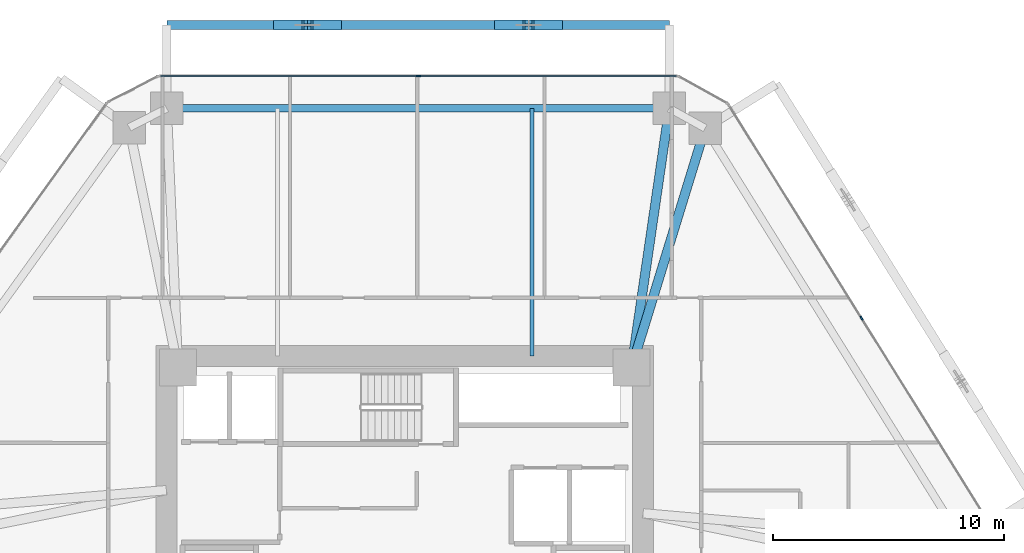
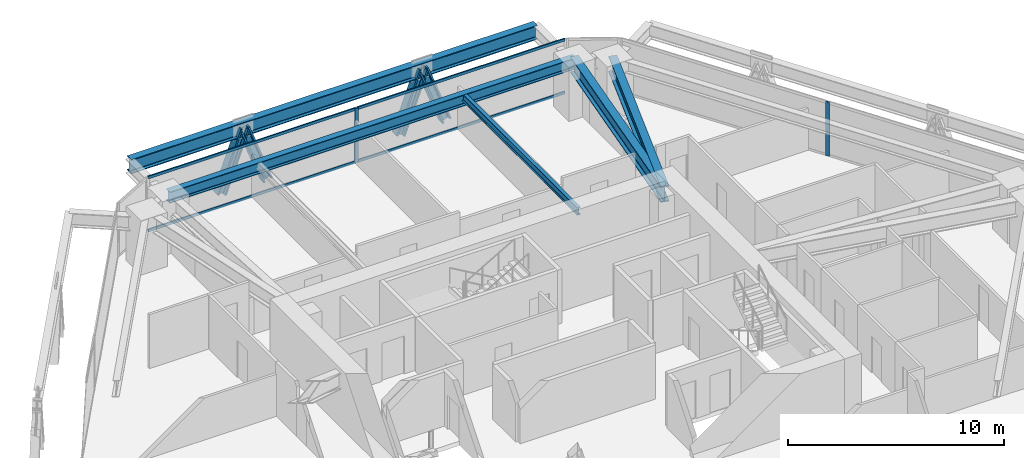
# One storey, part 8 of 17: 10 members, 5 beams, 2 elements without a shape of their own.
"""IFC4 building model written with IfcOpenShell, lengths in metres."""

from ifc_helpers import new_model, si_unit, direction, frame, origin, origin_2d, place, context, subcontext, project, spatial, rectangle, i_section, extrude, source, transform, mapped, material, layer, layer_set, material_profile, profile_set, type_object, type_shapes, element, aggregate, save


model = new_model("IFC4")

# Units and contexts
model_context = context("Model", 3, precision=1e-05, world=origin(), true_north=direction((0.0, 1.0)))
body_context = subcontext(model_context, "Body", "Model", "MODEL_VIEW")
ifc_project = project(units=[si_unit("LENGTHUNIT", "METRE"), si_unit("AREAUNIT", "SQUARE_METRE"), si_unit("VOLUMEUNIT", "CUBIC_METRE"), si_unit("PLANEANGLEUNIT", "RADIAN"), si_unit("MASSUNIT", "GRAM", prefix="KILO")], contexts=[model_context])

# Site, building, storey
site_placement = place(None, origin())
site = spatial("IfcSite", under=ifc_project, at=site_placement, CompositionType="ELEMENT")
building_placement = place(site_placement, origin())
building = spatial("IfcBuilding", under=site, at=building_placement, Name="Durnholm Broadcast Tower", CompositionType="ELEMENT")
storey_placement = place(building_placement, frame((0.0, 0.0, 72.0)))
storey = spatial("IfcBuildingStorey", under=building, at=storey_placement, Name="L18", CompositionType="ELEMENT", Elevation=72.0)

# Beams
ifc_material_1 = material(Name="Steel ASTM A992 Grade 50", Category="steel")
ifc_material_profile_1 = material_profile(ifc_material_1, i_section(OverallWidth=0.3291015625, OverallDepth=0.635009765625, WebThickness=0.017822265625, FlangeThickness=0.031005859375, FilletRadius=0.02783203125, at=origin_2d()), Name="W24X162")
ifc_profile_set_1 = profile_set([ifc_material_profile_1], Name="Steel ASTM A992 Grade 50")
beam_type_1 = type_object("IfcBeamType", Name="STL-SP-W24X162", PredefinedType="SPANDREL", material=ifc_profile_set_1)
shared_shape_1 = source(origin(), body_context, "Body", "SweptSolid", [
    extrude(i_section(OverallWidth=0.3291015625, OverallDepth=0.635009765625, WebThickness=0.017822265625, FlangeThickness=0.031005859375, FilletRadius=0.02783203125, at=origin_2d()), origin(), (0.0, 0.0, 1.0), 21.7138671875),
])
type_shapes(beam_type_1, [shared_shape_1])
beam_1_placement = place(storey_placement, frame((-10.28271484375, 19.0, 2.7275390625), z_axis=(1.0, 0.0, 0.0), x_axis=(0.0, 1.0, 0.0)))
element("IfcBeam", 1, at=beam_1_placement, inside=storey, type_object=beam_type_1, Name="L18 perimeter spandrel girder 05", PredefinedType="SPANDREL", context=body_context, shape_type="MappedRepresentation", body=[
    mapped(shared_shape_1, transform((0.0, 0.0, 0.0), x_axis=(1.0, 0.0, 0.0), y_axis=(0.0, 1.0, 0.0), z_axis=(0.0, 0.0, 1.0), scale=1.0)),
])
ifc_material_profile_2 = material_profile(ifc_material_1, i_section(OverallWidth=0.404052734375, OverallDepth=0.885009765625, WebThickness=0.0244140625, FlangeThickness=0.0439453125, FilletRadius=0.03564453125, at=origin_2d()), Name="W33X291")
ifc_profile_set_2 = profile_set([ifc_material_profile_2], Name="Steel ASTM A992 Grade 50")
beam_type_2 = type_object("IfcBeamType", Name="STL-GR-W33X291", PredefinedType="USERDEFINED", material=ifc_profile_set_2)
shared_shape_2 = source(origin(), body_context, "Body", "SweptSolid", [
    extrude(i_section(OverallWidth=0.404052734375, OverallDepth=0.885009765625, WebThickness=0.0244140625, FlangeThickness=0.0439453125, FilletRadius=0.03564453125, at=origin_2d()), origin(), (0.0, 0.0, 1.0), 11.318115234375),
])
beam_2_placement = place(storey_placement, frame((9.800048828125, 7.800048828125, 2.6025390625), z_axis=(0.144114595679, 0.989561005352, 0.0), x_axis=(-0.989561005352, 0.144114595679, 0.0)))
element("IfcBeam", 2, at=beam_2_placement, inside=storey, type_object=beam_type_2, Name="L18 radial primary floor girder 06", ObjectType="GIRDER", PredefinedType="USERDEFINED", context=body_context, shape_type="MappedRepresentation", body=[
    mapped(shared_shape_2, transform((0.0, 0.0, 0.0), x_axis=(1.0, 0.0, 0.0), y_axis=(0.0, 1.0, 0.0), z_axis=(0.0, 0.0, 1.0), scale=1.0)),
])
shared_shape_3 = source(origin(), body_context, "Body", "SweptSolid", [
    extrude(i_section(OverallWidth=0.404052734375, OverallDepth=0.885009765625, WebThickness=0.0244140625, FlangeThickness=0.0439453125, FilletRadius=0.03564453125, at=origin_2d()), origin(), (0.0, 0.0, 1.0), 10.817138671875),
])
type_shapes(beam_type_2, [shared_shape_2, shared_shape_3])
beam_3_placement = place(storey_placement, frame((9.800048828125, 7.800048828125, 2.6025390625), z_axis=(0.294219068418, 0.955738007918, 0.0), x_axis=(-0.955738007918, 0.294219068418, 0.0)))
element("IfcBeam", 3, at=beam_3_placement, inside=storey, type_object=beam_type_2, Name="L18 radial primary floor girder 07", ObjectType="GIRDER", PredefinedType="USERDEFINED", context=body_context, shape_type="MappedRepresentation", body=[
    mapped(shared_shape_3, transform((0.0, 0.0, 0.0), x_axis=(1.0, 0.0, 0.0), y_axis=(0.0, 1.0, 0.0), z_axis=(0.0, 0.0, 1.0), scale=1.0)),
])
ifc_material_profile_3 = material_profile(ifc_material_1, i_section(OverallWidth=0.180908203125, OverallDepth=0.417236328125, WebThickness=0.010986328125, FlangeThickness=0.018310546875, FilletRadius=0.01904296875, at=origin_2d()), Name="W16X57")
ifc_profile_set_3 = profile_set([ifc_material_profile_3], Name="Steel ASTM A992 Grade 50")
beam_type_3 = type_object("IfcBeamType", Name="STL-BJ-W16X57", PredefinedType="JOIST", material=ifc_profile_set_3)
shared_shape_4 = source(origin(), body_context, "Body", "SweptSolid", [
    extrude(i_section(OverallWidth=0.180908203125, OverallDepth=0.417236328125, WebThickness=0.010986328125, FlangeThickness=0.018310546875, FilletRadius=0.01904296875, at=origin_2d()), origin(), (0.0, 0.0, 1.0), 10.699951171875),
])
type_shapes(beam_type_3, [shared_shape_4])
beam_4_placement = place(storey_placement, frame((5.5, 8.300048828125, 2.836181640625), z_axis=(0.0, 1.0, 0.0), x_axis=(-1.0, 0.0, 0.0)))
element("IfcBeam", 4, at=beam_4_placement, inside=storey, type_object=beam_type_3, Name="L18 secondary floor joist 4.2", PredefinedType="JOIST", context=body_context, shape_type="MappedRepresentation", body=[
    mapped(shared_shape_4, transform((0.0, 0.0, 0.0), x_axis=(1.0, 0.0, 0.0), y_axis=(0.0, 1.0, 0.0), z_axis=(0.0, 0.0, 1.0), scale=1.0)),
])
ifc_material_profile_4 = material_profile(ifc_material_1, i_section(OverallWidth=0.385009765625, OverallDepth=0.802978515625, WebThickness=0.023681640625, FlangeThickness=0.0419921875, FilletRadius=0.032958984375, at=origin_2d()), Name="W30X261")
ifc_profile_set_4 = profile_set([ifc_material_profile_4], Name="Steel ASTM A992 Grade 50")
beam_type_4 = type_object("IfcBeamType", Name="BM-EXO-TIE", PredefinedType="USERDEFINED", material=ifc_profile_set_4)
shared_shape_5 = source(origin(), body_context, "Body", "SweptSolid", [
    extrude(i_section(OverallWidth=0.385009765625, OverallDepth=0.802978515625, WebThickness=0.023681640625, FlangeThickness=0.0419921875, FilletRadius=0.032958984375, at=origin_2d()), origin(), (0.0, 0.0, 1.0), 21.7138671875),
])
type_shapes(beam_type_4, [shared_shape_5])
beam_5_placement = place(storey_placement, frame((11.43115234375, 22.60009765625, 2.30859375), z_axis=(-1.0, 0.0, 0.0), x_axis=(0.0, -1.0, 0.0)))
element("IfcBeam", 5, at=beam_5_placement, inside=storey, type_object=beam_type_4, Name="L18 exoskeleton collector spandrel F4", PredefinedType="SPANDREL", context=body_context, shape_type="MappedRepresentation", body=[
    mapped(shared_shape_5, transform((0.0, 0.0, 0.0), x_axis=(1.0, 0.0, 0.0), y_axis=(0.0, 1.0, 0.0), z_axis=(0.0, 0.0, 1.0), scale=1.0)),
])

# Members
ifc_material_2 = material(Name="Steel ASTM A913 Grade 65", Category="steel")
ifc_material_profile_5 = material_profile(ifc_material_2, i_section(OverallWidth=0.43212890625, OverallDepth=0.497802734375, WebThickness=0.0556640625, FlangeThickness=0.0888671875, FilletRadius=0.030517578125, at=origin_2d()), Name="W14X500")
ifc_profile_set_5 = profile_set([ifc_material_profile_5], Name="Steel ASTM A913 Grade 65")
member_type_1 = type_object("IfcMemberType", Name="STL-DG-W14X500", PredefinedType="BRACE", material=ifc_profile_set_5)
shared_shape_6 = source(origin(), body_context, "Body", "SweptSolid", [
    extrude(i_section(OverallWidth=0.43212890625, OverallDepth=0.497802734375, WebThickness=0.0556640625, FlangeThickness=0.0888671875, FilletRadius=0.030517578125, at=origin_2d()), origin(), (0.0, 0.0, 1.0), 3.523193359375),
])
type_shapes(member_type_1, [shared_shape_6])
for number, where, z_axis, x_axis, name in (
    (6, (6.585205078125, 22.60009765625, -0.991455078125), (-0.350219588454, 0.0, 0.936667625075), (0.0, -1.0, 0.0), "L18 stand-off diagrid brace F4.D1.1"),
    (7, (4.117431640625, 22.60009765625, -0.991455078125), (0.350219588454, 0.0, 0.936667625075), (0.0, 1.0, 0.0), "L18 stand-off diagrid brace F4.D1.2"),
    (8, (-2.968994140625, 22.60009765625, -0.991455078125), (-0.350219588454, 0.0, 0.936667625075), (0.0, -1.0, 0.0), "L18 stand-off diagrid brace F4.D2.1"),
    (9, (-5.436767578125, 22.60009765625, -0.991455078125), (0.350219588454, 0.0, 0.936667625075), (0.0, 1.0, 0.0), "L18 stand-off diagrid brace F4.D2.2"),
):
    element("IfcMember", number, at=place(storey_placement, frame(where, z_axis=z_axis, x_axis=x_axis)), inside=storey, type_object=member_type_1, Name=name, PredefinedType="BRACE", context=body_context, shape_type="MappedRepresentation", body=[
        mapped(shared_shape_6, transform((0.0, 0.0, 0.0), x_axis=(1.0, 0.0, 0.0), y_axis=(0.0, 1.0, 0.0), z_axis=(0.0, 0.0, 1.0), scale=1.0)),
    ])

# Curtain wall, member
ifc_material_3 = material(Name="Aluminium and Solar Control IGU", Category="aluminium")
ifc_layer = layer(ifc_material_3, 0.18994140625)
ifc_layer_set = layer_set([ifc_layer], Name="Aluminium and Solar Control IGU")
curtain_wall_type = type_object("IfcCurtainWallType", Name="CW-SYS-3", PredefinedType="NOTDEFINED", material=ifc_layer_set)
curtain_wall_1_placement = place(storey_placement, origin())
curtain_wall_1 = element("IfcCurtainWall", 10, at=curtain_wall_1_placement, inside=storey, type_object=curtain_wall_type, Name="L18 curtain wall CW-Z12-VIS CW-L18-F04", PredefinedType="NOTDEFINED")
ifc_material_4 = material(Name="Aluminium 6063-T6", Category="aluminium")
ifc_material_profile_6 = material_profile(ifc_material_4, rectangle(XDim=0.070068359375, YDim=0.18994140625, at=origin_2d()), Name="CWM70X190")
ifc_profile_set_6 = profile_set([ifc_material_profile_6], Name="Aluminium 6063-T6")
member_type_2 = type_object("IfcMemberType", Name="CW-SYS-3-MUL", PredefinedType="MULLION", material=ifc_profile_set_6)
shared_shape_7 = source(origin(), body_context, "Body", "SweptSolid", [
    extrude(rectangle(XDim=0.070068359375, YDim=0.18994140625, at=origin_2d()), origin(), (0.0, 0.0, 1.0), 3.06005859375),
])
type_shapes(member_type_2, [shared_shape_7])
member_1_placement = place(storey_placement, frame((0.5869140625, 20.39990234375, 0.0), z_axis=(0.0, 0.0, 1.0), x_axis=(0.0, 1.0, 0.0)))
member_1 = element("IfcMember", 11, at=member_1_placement, type_object=member_type_2, Name="CW-Z12-VIS mullion 2", PredefinedType="MULLION", context=body_context, shape_type="MappedRepresentation", body=[
    mapped(shared_shape_7, transform((0.0, 0.0, 0.0), x_axis=(1.0, 0.0, 0.0), y_axis=(0.0, 1.0, 0.0), z_axis=(0.0, 0.0, 1.0), scale=1.0)),
])

curtain_wall_2_placement = place(storey_placement, origin())
curtain_wall_2 = element("IfcCurtainWall", 12, at=curtain_wall_2_placement, inside=storey, type_object=curtain_wall_type, Name="L18 curtain wall CW-Z12-VIS CW-L18-F06", PredefinedType="NOTDEFINED")
member_2_placement = place(storey_placement, frame((19.741943359375, 9.93212890625, 0.0), z_axis=(0.0, 0.0, 1.0), x_axis=(0.848875785503, 0.528592376777, 0.0)))
member_2 = element("IfcMember", 13, at=member_2_placement, type_object=member_type_2, Name="CW-Z12-VIS mullion 2", PredefinedType="MULLION", context=body_context, shape_type="MappedRepresentation", body=[
    mapped(shared_shape_7, transform((0.0, 0.0, 0.0), x_axis=(1.0, 0.0, 0.0), y_axis=(0.0, 1.0, 0.0), z_axis=(0.0, 0.0, 1.0), scale=1.0)),
])
aggregate(curtain_wall_2, [member_2])

# Member
ifc_material_profile_7 = material_profile(ifc_material_4, rectangle(XDim=0.070068359375, YDim=0.14990234375, at=origin_2d()), Name="CWT70X150")
ifc_profile_set_7 = profile_set([ifc_material_profile_7], Name="Aluminium 6063-T6")
member_type_3 = type_object("IfcMemberType", Name="CW-SYS-3-TRN", PredefinedType="USERDEFINED", material=ifc_profile_set_7)
shared_shape_8 = source(origin(), body_context, "Body", "SweptSolid", [
    extrude(rectangle(XDim=0.070068359375, YDim=0.14990234375, at=origin_2d()), origin(), (0.0, 0.0, 1.0), 11.10205078125),
])
type_shapes(member_type_3, [shared_shape_8])
member_3_placement = place(storey_placement, frame((-10.55029296875, 20.39990234375, 0.034912109375), z_axis=(1.0, 0.0, 0.0), x_axis=(0.0, 1.0, 0.0)))
member_3 = element("IfcMember", 14, at=member_3_placement, type_object=member_type_3, Name="CW-Z12-VIS transom 1.1", ObjectType="TRANSOM", PredefinedType="USERDEFINED", context=body_context, shape_type="MappedRepresentation", body=[
    mapped(shared_shape_8, transform((0.0, 0.0, 0.0), x_axis=(1.0, 0.0, 0.0), y_axis=(0.0, 1.0, 0.0), z_axis=(0.0, 0.0, 1.0), scale=1.0)),
])

member_4_placement = place(storey_placement, frame((-10.55029296875, 20.39990234375, 3.02490234375), z_axis=(1.0, 0.0, 0.0), x_axis=(0.0, 1.0, 0.0)))
member_4 = element("IfcMember", 15, at=member_4_placement, type_object=member_type_3, Name="CW-Z12-VIS transom 1.2", ObjectType="TRANSOM", PredefinedType="USERDEFINED", context=body_context, shape_type="MappedRepresentation", body=[
    mapped(shared_shape_8, transform((0.0, 0.0, 0.0), x_axis=(1.0, 0.0, 0.0), y_axis=(0.0, 1.0, 0.0), z_axis=(0.0, 0.0, 1.0), scale=1.0)),
])

member_5_placement = place(storey_placement, frame((0.621826171875, 20.39990234375, 0.034912109375), z_axis=(1.0, 0.0, 0.0), x_axis=(0.0, 1.0, 0.0)))
member_5 = element("IfcMember", 16, at=member_5_placement, type_object=member_type_3, Name="CW-Z12-VIS transom 2.1", ObjectType="TRANSOM", PredefinedType="USERDEFINED", context=body_context, shape_type="MappedRepresentation", body=[
    mapped(shared_shape_8, transform((0.0, 0.0, 0.0), x_axis=(1.0, 0.0, 0.0), y_axis=(0.0, 1.0, 0.0), z_axis=(0.0, 0.0, 1.0), scale=1.0)),
])

member_6_placement = place(storey_placement, frame((0.621826171875, 20.39990234375, 3.02490234375), z_axis=(1.0, 0.0, 0.0), x_axis=(0.0, 1.0, 0.0)))
member_6 = element("IfcMember", 17, at=member_6_placement, type_object=member_type_3, Name="CW-Z12-VIS transom 2.2", ObjectType="TRANSOM", PredefinedType="USERDEFINED", context=body_context, shape_type="MappedRepresentation", body=[
    mapped(shared_shape_8, transform((0.0, 0.0, 0.0), x_axis=(1.0, 0.0, 0.0), y_axis=(0.0, 1.0, 0.0), z_axis=(0.0, 0.0, 1.0), scale=1.0)),
])

aggregate(curtain_wall_1, [member_1, member_3, member_4, member_5, member_6])

save(model, "model.ifc")
